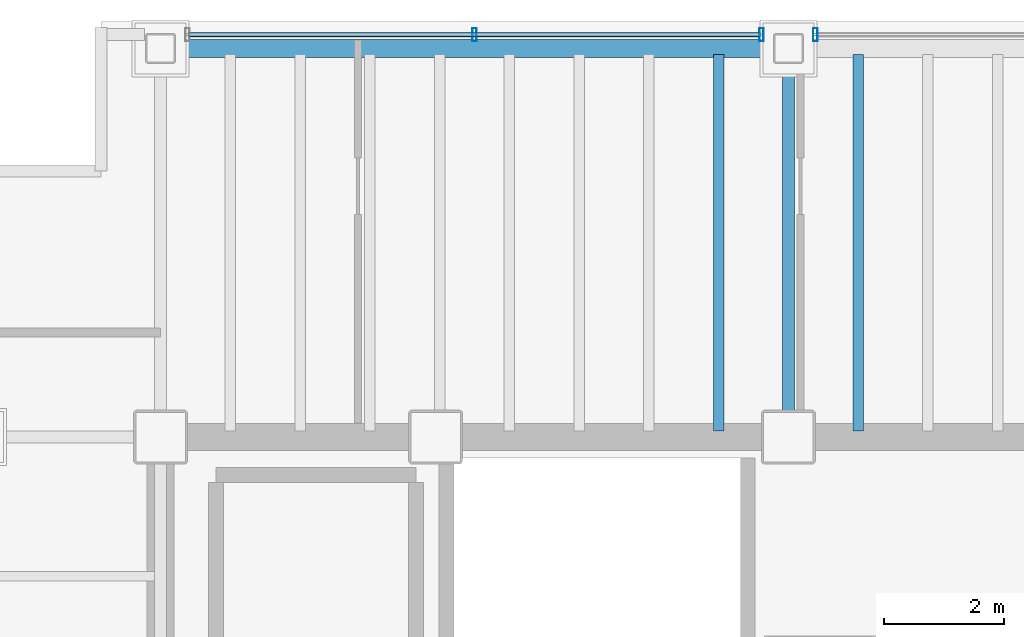
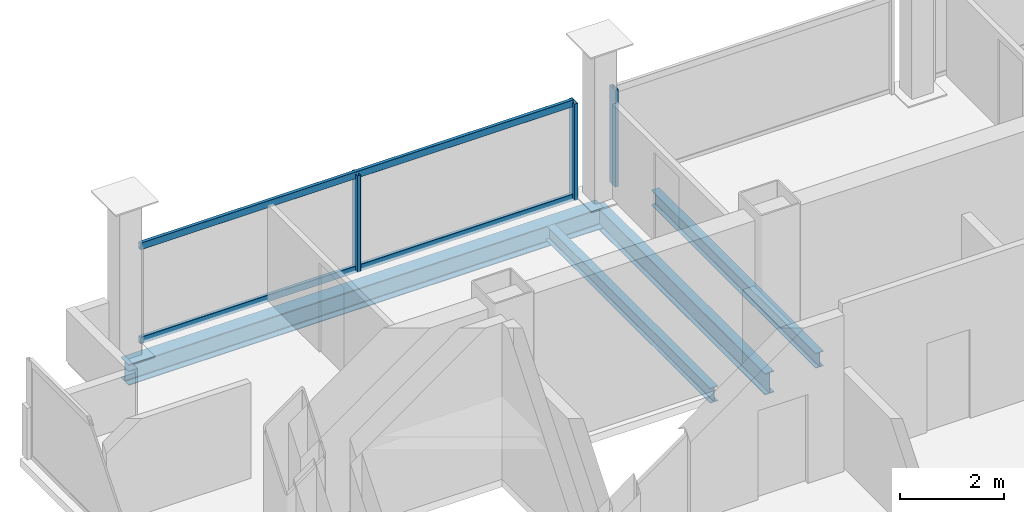
# One storey, part 7 of 16: 5 members, 4 beams, 2 elements without a shape of their own.
"""IFC4 building model written with IfcOpenShell, lengths in metres."""

from ifc_helpers import new_model, si_unit, direction, frame, origin, origin_2d, place, context, subcontext, project, spatial, hollow_rectangle, i_section, extrude, material, material_profile, profile_set, type_object, element, aggregate, save


model = new_model("IFC4")

# Units and contexts
model_context = context("Model", 3, precision=1e-05, world=origin(), true_north=direction((0.0, 1.0)))
body_context = subcontext(model_context, "Body", "Model", "MODEL_VIEW")
ifc_project = project(units=[si_unit("LENGTHUNIT", "METRE"), si_unit("AREAUNIT", "SQUARE_METRE"), si_unit("VOLUMEUNIT", "CUBIC_METRE"), si_unit("PLANEANGLEUNIT", "RADIAN"), si_unit("MASSUNIT", "GRAM", prefix="KILO")], contexts=[model_context])

# Site, building, storey
site_placement = place(None, origin())
site = spatial("IfcSite", under=ifc_project, at=site_placement, CompositionType="ELEMENT")
building_placement = place(site_placement, origin())
building = spatial("IfcBuilding", under=site, at=building_placement, Name="Noeulbin Bourse Tower", CompositionType="ELEMENT")
storey_placement = place(building_placement, frame((0.0, 0.0, 192.89990234375)))
storey = spatial("IfcBuildingStorey", under=building, at=storey_placement, Name="L48", CompositionType="ELEMENT", Elevation=192.89990234375)

# Beams
ifc_material_1 = material(Name="Steel S355", Category="steel")
ifc_material_profile_1 = material_profile(ifc_material_1, i_section(OverallWidth=0.199951171875, OverallDepth=0.5, WebThickness=0.010009765625, FlangeThickness=0.01611328125, FilletRadius=0.02001953125, at=origin_2d()), Name="H-500x200x10x16", Category="LoadBearing")
ifc_profile_set_1 = profile_set([ifc_material_profile_1], Name="Steel S355")
beam_type_1 = type_object("IfcBeamType", Name="BM-GRD-500", PredefinedType="USERDEFINED", material=ifc_profile_set_1)
beam_1_placement = place(storey_placement, frame((24.0, 38.300048828125, -0.429931640625), z_axis=(0.0, 1.0, 0.0), x_axis=(-1.0, 0.0, 0.0)))
element("IfcBeam", 1, at=beam_1_placement, inside=storey, type_object=beam_type_1, Name="Tower Primary Girder NS L48-2.4", ObjectType="GIRDER", PredefinedType="USERDEFINED", context=body_context, shape_type="SweptSolid", body=[
    extrude(i_section(OverallWidth=0.199951171875, OverallDepth=0.5, WebThickness=0.010009765625, FlangeThickness=0.01611328125, FilletRadius=0.02001953125, at=origin_2d()), origin(), (0.0, 0.0, 1.0), 6.5),
])
ifc_material_profile_2 = material_profile(ifc_material_1, i_section(OverallWidth=0.175048828125, OverallDepth=0.35009765625, WebThickness=0.007080078125, FlangeThickness=0.010986328125, FilletRadius=0.013916015625, at=origin_2d()), Name="H-350x175x7x11", Category="LoadBearing")
ifc_profile_set_2 = profile_set([ifc_material_profile_2], Name="Steel S355")
beam_type_2 = type_object("IfcBeamType", Name="BM-JST-350", PredefinedType="JOIST", material=ifc_profile_set_2)
for number, where, z_axis, x_axis, name in (
    (2, (22.833251953125, 38.39990234375, -0.35498046875), (0.0, 1.0, 0.0), (-1.0, 0.0, 0.0), "Tower Composite Joist L48-24"),
    (3, (25.166748046875, 38.39990234375, -0.35498046875), (0.0, 1.0, 0.0), (-1.0, 0.0, 0.0), "Tower Composite Joist L48-27"),
):
    element("IfcBeam", number, at=place(storey_placement, frame(where, z_axis=z_axis, x_axis=x_axis)), inside=storey, type_object=beam_type_2, Name=name, PredefinedType="JOIST", context=body_context, shape_type="SweptSolid", body=[
        extrude(i_section(OverallWidth=0.175048828125, OverallDepth=0.35009765625, WebThickness=0.007080078125, FlangeThickness=0.010986328125, FilletRadius=0.013916015625, at=origin_2d()), origin(), (0.0, 0.0, 1.0), 6.300048828125),
    ])
ifc_material_profile_3 = material_profile(ifc_material_1, i_section(OverallWidth=0.300048828125, OverallDepth=0.488037109375, WebThickness=0.010986328125, FlangeThickness=0.01806640625, FilletRadius=0.02197265625, at=origin_2d()), Name="H-488x300x11x18", Category="LoadBearing")
ifc_profile_set_3 = profile_set([ifc_material_profile_3], Name="Steel S355")
beam_type_3 = type_object("IfcBeamType", Name="BM-SPN-488", PredefinedType="SPANDREL", material=ifc_profile_set_3)
beam_2_placement = place(storey_placement, frame((13.5, 44.800048828125, -0.423828125), z_axis=(1.0, 0.0, 0.0), x_axis=(0.0, 1.0, 0.0)))
element("IfcBeam", 4, at=beam_2_placement, inside=storey, type_object=beam_type_3, Name="North Spandrel L48-1", PredefinedType="SPANDREL", context=body_context, shape_type="SweptSolid", body=[
    extrude(i_section(OverallWidth=0.300048828125, OverallDepth=0.488037109375, WebThickness=0.010986328125, FlangeThickness=0.01806640625, FilletRadius=0.02197265625, at=origin_2d()), origin(), (0.0, 0.0, 1.0), 10.5),
])

# Curtain wall, members
ifc_material_2 = material(Name="Dark Tinted Triple Glazing", Category="glass")
curtain_wall_type = type_object("IfcCurtainWallType", Name="CW-SYS-3", PredefinedType="NOTDEFINED", material=ifc_material_2)
curtain_wall_1_placement = place(storey_placement, origin())
curtain_wall_1 = element("IfcCurtainWall", 5, at=curtain_wall_1_placement, inside=storey, type_object=curtain_wall_type, Name="Unitised Curtain Wall CW-L48-N-S1", PredefinedType="NOTDEFINED")
ifc_material_3 = material(Name="Anodised Aluminium 6063-T6", Category="aluminium")
ifc_material_profile_4 = material_profile(ifc_material_3, hollow_rectangle(XDim=0.074951171875, YDim=0.219970703125, WallThickness=0.0048828125, InnerFilletRadius=0.00244140625, OuterFilletRadius=0.0048828125, at=origin_2d()), Name="ALU-MULL-75x220x5", Category="LoadBearing")
ifc_profile_set_4 = profile_set([ifc_material_profile_4], Name="Anodised Aluminium 6063-T6")
member_type_1 = type_object("IfcMemberType", Name="CW-SYS-3-MUL", PredefinedType="MULLION", material=ifc_profile_set_4)
member_1_placement = place(storey_placement, frame((18.75, 45.030029296875, -0.02001953125), z_axis=(0.0, 0.0, 1.0), x_axis=(1.0, 0.0, 0.0)))
member_1 = element("IfcMember", 6, at=member_1_placement, type_object=member_type_1, Name="Curtain Wall Mullion CW-L48-N-S1-M01", PredefinedType="MULLION", context=body_context, shape_type="SweptSolid", body=[
    extrude(hollow_rectangle(XDim=0.074951171875, YDim=0.219970703125, WallThickness=0.0048828125, InnerFilletRadius=0.00244140625, OuterFilletRadius=0.0048828125, at=origin_2d()), origin(), (0.0, 0.0, 1.0), 2.260009765625),
])
member_2_placement = place(storey_placement, frame((23.550048828125, 45.030029296875, -0.02001953125), z_axis=(0.0, 0.0, 1.0), x_axis=(1.0, 0.0, 0.0)))
member_2 = element("IfcMember", 7, at=member_2_placement, type_object=member_type_1, Name="Curtain Wall Mullion CW-L48-N-S1-M02", PredefinedType="MULLION", context=body_context, shape_type="SweptSolid", body=[
    extrude(hollow_rectangle(XDim=0.074951171875, YDim=0.219970703125, WallThickness=0.0048828125, InnerFilletRadius=0.00244140625, OuterFilletRadius=0.0048828125, at=origin_2d()), origin(), (0.0, 0.0, 1.0), 2.260009765625),
])

# Curtain wall, member
curtain_wall_2_placement = place(storey_placement, origin())
curtain_wall_2 = element("IfcCurtainWall", 8, at=curtain_wall_2_placement, inside=storey, type_object=curtain_wall_type, Name="Unitised Curtain Wall CW-L48-N-S2", PredefinedType="NOTDEFINED")
member_3_placement = place(storey_placement, frame((24.449951171875, 45.030029296875, -0.02001953125), z_axis=(0.0, 0.0, 1.0), x_axis=(1.0, 0.0, 0.0)))
member_3 = element("IfcMember", 9, at=member_3_placement, type_object=member_type_1, Name="Curtain Wall Mullion CW-L48-N-S2-M00", PredefinedType="MULLION", context=body_context, shape_type="SweptSolid", body=[
    extrude(hollow_rectangle(XDim=0.074951171875, YDim=0.219970703125, WallThickness=0.0048828125, InnerFilletRadius=0.00244140625, OuterFilletRadius=0.0048828125, at=origin_2d()), origin(), (0.0, 0.0, 1.0), 2.260009765625),
])
aggregate(curtain_wall_2, [member_3])

# Member
ifc_material_profile_5 = material_profile(ifc_material_3, hollow_rectangle(XDim=0.074951171875, YDim=0.159912109375, WallThickness=0.0048828125, InnerFilletRadius=0.00244140625, OuterFilletRadius=0.0048828125, at=origin_2d()), Name="ALU-TRAN-75x160x5", Category="LoadBearing")
ifc_profile_set_5 = profile_set([ifc_material_profile_5], Name="Anodised Aluminium 6063-T6")
member_type_2 = type_object("IfcMemberType", Name="CW-SYS-3-TRN", PredefinedType="USERDEFINED", material=ifc_profile_set_5)
member_4_placement = place(storey_placement, frame((13.9599609375, 45.030029296875, 0.010009765625), z_axis=(1.0, 0.0, 0.0), x_axis=(0.0, 1.0, 0.0)))
member_4 = element("IfcMember", 10, at=member_4_placement, type_object=member_type_2, Name="Curtain Wall Transom CW-L48-N-S1-T00", ObjectType="TRANSOM", PredefinedType="USERDEFINED", context=body_context, shape_type="SweptSolid", body=[
    extrude(hollow_rectangle(XDim=0.074951171875, YDim=0.159912109375, WallThickness=0.0048828125, InnerFilletRadius=0.00244140625, OuterFilletRadius=0.0048828125, at=origin_2d()), origin(), (0.0, 0.0, 1.0), 9.580078125),
])

member_5_placement = place(storey_placement, frame((13.9599609375, 45.030029296875, 2.210205078125), z_axis=(1.0, 0.0, 0.0), x_axis=(0.0, 1.0, 0.0)))
member_5 = element("IfcMember", 11, at=member_5_placement, type_object=member_type_2, Name="Curtain Wall Transom CW-L48-N-S1-T01", ObjectType="TRANSOM", PredefinedType="USERDEFINED", context=body_context, shape_type="SweptSolid", body=[
    extrude(hollow_rectangle(XDim=0.074951171875, YDim=0.159912109375, WallThickness=0.0048828125, InnerFilletRadius=0.00244140625, OuterFilletRadius=0.0048828125, at=origin_2d()), origin(), (0.0, 0.0, 1.0), 9.580078125),
])

aggregate(curtain_wall_1, [member_1, member_2, member_4, member_5])

save(model, "model.ifc")
